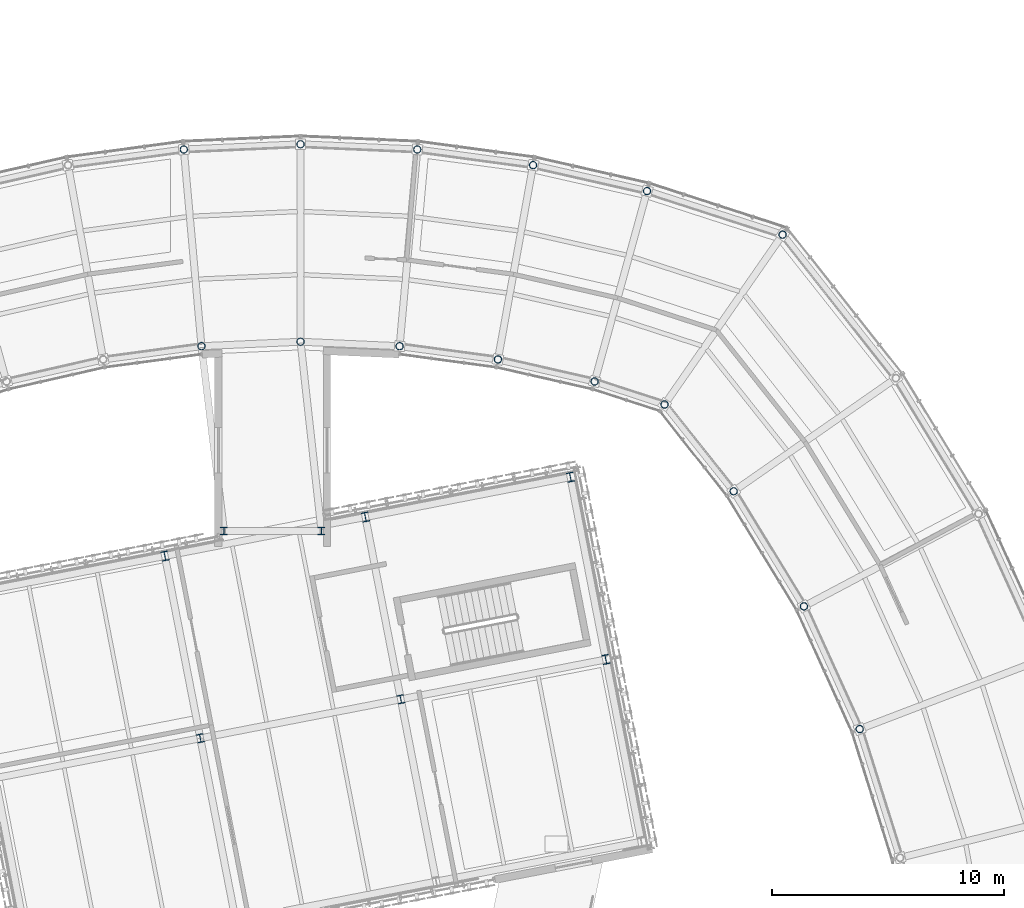
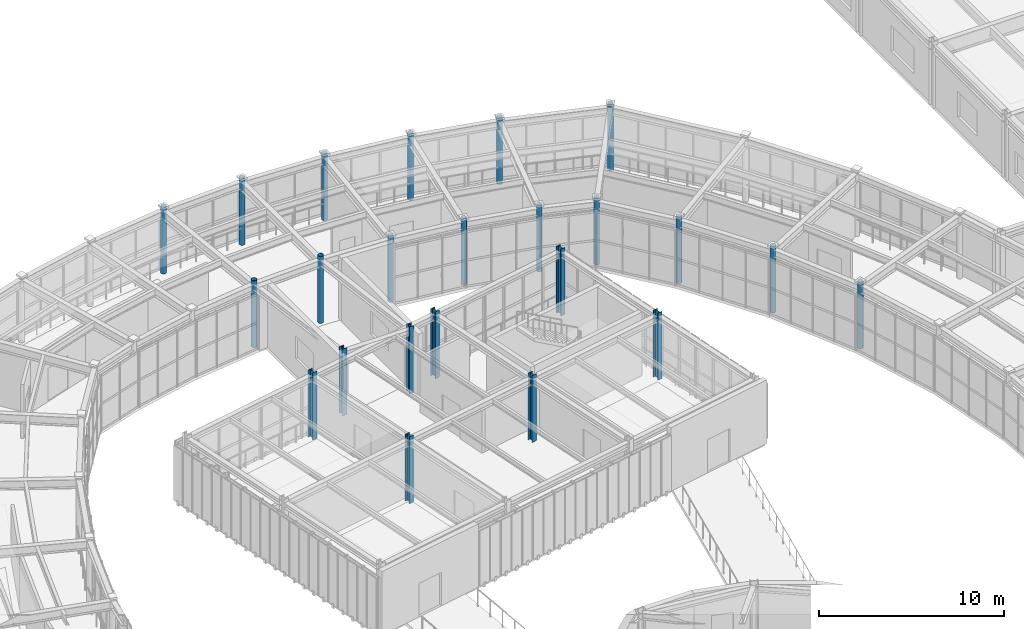
# One storey, part 12 of 103: 23 columns.
"""IFC4 building model written with IfcOpenShell, lengths in metres."""

import ifcopenshell
import ifcopenshell.guid

model = None  # the IFC model being written
_history = None  # IfcOwnerHistory: only IFC2X3 demands one
_inside = {}  # id of a spatial element -> (the spatial element, [elements in it])
_under = {}  # id of a project, library or spatial element -> (it, [spatial elements below it])
_declared = {}  # id of a project -> (the project, [libraries it declares])
_typed = {}  # id of a type object -> (the type object, [elements of that type])
_made_of = {}  # id of a material, layer set ... -> (it, [elements and type objects made of it])


def new_model(schema):
    """Start an empty IFC model of exactly this schema.

    Asked for "IFC4X3", IfcOpenShell would pick the latest addendum, in which some entities
    have other attributes; the version numbers below select the first issue.
    IFC2X3 requires an IfcOwnerHistory on every rooted entity: one is made here for all.
    """
    global model, _history
    if schema == "IFC4X3":
        model = ifcopenshell.file(schema_version=(4, 3, 0, 0))
    else:
        model = ifcopenshell.file(schema=schema)
    _inside.clear()
    _under.clear()
    _declared.clear()
    _typed.clear()
    _made_of.clear()
    _history = None
    if model.schema == "IFC2X3":
        org = make("IfcOrganization", Name="unknown")
        user = make(
            "IfcPersonAndOrganization",
            ThePerson=make("IfcPerson", FamilyName="unknown"),
            TheOrganization=org,
        )
        app = make(
            "IfcApplication",
            ApplicationDeveloper=org,
            Version="unknown",
            ApplicationFullName="unknown",
            ApplicationIdentifier="unknown",
        )
        _history = make(
            "IfcOwnerHistory",
            OwningUser=user,
            OwningApplication=app,
            ChangeAction="ADDED",
            CreationDate=0,
        )
    return model


def make(cls, **values):
    """One entity of the class cls with the attributes given. An attribute that is None is left unset."""
    return model.create_entity(
        cls, **{name: value for name, value in values.items() if value is not None}
    )


def rooted(cls, **values):
    """An entity with a GlobalId (a new one), such as an element, a storey or a relation."""
    return make(cls, GlobalId=ifcopenshell.guid.new(), OwnerHistory=_history, **values)


def si_unit(unit_type, name, prefix=None):
    """IfcSIUnit, for example si_unit("LENGTHUNIT", "METRE", prefix="MILLI")."""
    return make("IfcSIUnit", UnitType=unit_type, Prefix=prefix, Name=name)


def assignment(units):
    """IfcUnitAssignment: the units of a project."""
    return None if units is None else make("IfcUnitAssignment", Units=units)


def point(xyz):
    """IfcCartesianPoint."""
    return None if xyz is None else make("IfcCartesianPoint", Coordinates=xyz)


def direction(xyz):
    """IfcDirection."""
    return None if xyz is None else make("IfcDirection", DirectionRatios=xyz)


def frame(location, z_axis=None, x_axis=None):
    """IfcAxis2Placement3D, a coordinate frame: its origin and axes. An axis left out is left unset."""
    return make(
        "IfcAxis2Placement3D",
        Location=point(location),
        Axis=direction(z_axis),
        RefDirection=direction(x_axis),
    )


def frame_2d(location, x_axis=None):
    """IfcAxis2Placement2D, a coordinate frame in the plane: its origin and x axis."""
    return make(
        "IfcAxis2Placement2D", Location=point(location), RefDirection=direction(x_axis)
    )


def origin():
    """The frame at (0, 0, 0) with its axes left unset."""
    return frame((0.0, 0.0, 0.0))


def origin_2d():
    """The frame at (0, 0) in the plane with its x axis left unset."""
    return frame_2d((0.0, 0.0))


def place(relative_to, where):
    """IfcLocalPlacement: puts the frame where relative to a parent placement (None: the world)."""
    return make(
        "IfcLocalPlacement", PlacementRelTo=relative_to, RelativePlacement=where
    )


def context(
    kind, dimensions, precision=None, world=None, true_north=None, identifier=None
):
    """IfcGeometricRepresentationContext, for example the 3D "Model" context."""
    return make(
        "IfcGeometricRepresentationContext",
        ContextIdentifier=identifier,
        ContextType=kind,
        CoordinateSpaceDimension=dimensions,
        Precision=precision,
        WorldCoordinateSystem=world,
        TrueNorth=true_north,
    )


def subcontext(parent, identifier, kind, view, scale=None):
    """IfcGeometricRepresentationSubContext, for example "Body" below "Model"."""
    return make(
        "IfcGeometricRepresentationSubContext",
        ContextIdentifier=identifier,
        ContextType=kind,
        ParentContext=parent,
        TargetScale=scale,
        TargetView=view,
    )


def project(units=None, contexts=None):
    """IfcProject with its units and contexts."""
    return rooted(
        "IfcProject",
        Name="project",
        RepresentationContexts=contexts,
        UnitsInContext=assignment(units),
    )


def spatial(cls, under=None, at=None, **own):
    """A site, building, storey or space (cls), placed at a placement, below another one or the project."""
    s = rooted(cls, ObjectPlacement=at, **own)
    if under is not None:
        _under.setdefault(under.id(), (under, []))[1].append(s)
    return s


def profile(cls, at=None, kind="AREA", **sizes):
    """A parametric profile (cls). Its sizes go by their IFC names, for example OverallWidth=200.0."""
    return make(cls, ProfileType=kind, Position=at, **sizes)


def hollow_circle(**sizes):
    """IfcCircleHollowProfileDef."""
    return profile("IfcCircleHollowProfileDef", **sizes)


def i_section(**sizes):
    """IfcIShapeProfileDef."""
    return profile("IfcIShapeProfileDef", **sizes)


def extrude(swept, where, along, depth):
    """IfcExtrudedAreaSolid: the profile swept, set in the frame where, extruded along a direction by depth."""
    return make(
        "IfcExtrudedAreaSolid",
        SweptArea=swept,
        Position=where,
        ExtrudedDirection=direction(along),
        Depth=depth,
    )


def shape(context_of_items, identifier, shape_type, items):
    """IfcShapeRepresentation: the items that make up one representation, for example the "Body"."""
    return make(
        "IfcShapeRepresentation",
        ContextOfItems=context_of_items,
        RepresentationIdentifier=identifier,
        RepresentationType=shape_type,
        Items=items,
    )


def material(Name=None, Category=None):
    """IfcMaterial."""
    return make("IfcMaterial", Name=Name, Category=Category)


def material_profile(
    of_material, cross_section, Name=None, Category=None, Priority=None
):
    """IfcMaterialProfile: a cross section and its material."""
    return make(
        "IfcMaterialProfile",
        Name=Name,
        Material=of_material,
        Profile=cross_section,
        Priority=Priority,
        Category=Category,
    )


def profile_set(profiles, Name=None, composite=None):
    """IfcMaterialProfileSet."""
    return make(
        "IfcMaterialProfileSet",
        Name=Name,
        MaterialProfiles=profiles,
        CompositeProfile=composite,
    )


def made_of(thing, what):
    """Note that an element or type object is made of a material, layer set ...; save() writes the relation."""
    if what is not None:
        _made_of.setdefault(what.id(), (what, []))[1].append(thing)
    return thing


def type_object(cls, material=None, **own):
    """A type object (cls), such as IfcWallType, which elements share."""
    return made_of(rooted(cls, **own), material)


def element(
    cls,
    number,
    at=None,
    inside=None,
    cuts=None,
    type_object=None,
    material=None,
    context=None,
    identifier="Body",
    shape_type=None,
    held_by="IfcProductDefinitionShape",
    body=None,
    shapes=None,
    **own,
):
    """One element of the class cls, such as IfcWall. Its Tag is "e" and its number.

    at: its placement. inside: the storey or other place that contains it. cuts: it is an
    opening in that element (IfcRelVoidsElement). A single representation is given by context,
    identifier, shape_type and body (its items); several are given by shapes. held_by: the class
    of the entity that holds the representations. save() writes the other relations.
    """
    e = rooted(cls, Tag="e%d" % number, ObjectPlacement=at, **own)
    if body is not None:
        shapes = [shape(context, identifier, shape_type, body)]
    if shapes is not None:
        e.Representation = make(held_by, Representations=shapes)
    if inside is not None:
        _inside.setdefault(inside.id(), (inside, []))[1].append(e)
    if cuts is not None:
        rooted(
            "IfcRelVoidsElement", RelatingBuildingElement=cuts, RelatedOpeningElement=e
        )
    if type_object is not None:
        _typed.setdefault(type_object.id(), (type_object, []))[1].append(e)
    return made_of(e, material)


def aggregate(whole, parts):
    """IfcRelAggregates: a whole, such as a stair, and the parts it consists of."""
    return rooted("IfcRelAggregates", RelatingObject=whole, RelatedObjects=parts)


def save(model, path):
    """Write the relations noted so far, then the file.

    IfcRelAggregates (storeys below a building ...), IfcRelContainedInSpatialStructure (elements
    in a storey), IfcRelDefinesByType, IfcRelAssociatesMaterial and IfcRelDeclares: one each for
    every whole, place, type object, material and project.
    """
    for whole, parts in _under.values():
        aggregate(whole, parts)
    for where, things in _inside.values():
        rooted(
            "IfcRelContainedInSpatialStructure",
            RelatedElements=things,
            RelatingStructure=where,
        )
    for kind, things in _typed.values():
        rooted("IfcRelDefinesByType", RelatedObjects=things, RelatingType=kind)
    for what, things in _made_of.values():
        rooted("IfcRelAssociatesMaterial", RelatedObjects=things, RelatingMaterial=what)
    for by, libraries in _declared.values():
        rooted("IfcRelDeclares", RelatingContext=by, RelatedDefinitions=libraries)
    model.write(path)


model = new_model("IFC4")

# Units and contexts
model_context = context("Model", 3, precision=1e-05, world=origin(), true_north=direction((0.0, 1.0)))
body_context = subcontext(model_context, "Body", "Model", "MODEL_VIEW")
ifc_project = project(units=[si_unit("LENGTHUNIT", "METRE"), si_unit("AREAUNIT", "SQUARE_METRE"), si_unit("VOLUMEUNIT", "CUBIC_METRE"), si_unit("PLANEANGLEUNIT", "RADIAN"), si_unit("MASSUNIT", "GRAM", prefix="KILO")], contexts=[model_context])

# Site, building, storey
site_placement = place(None, origin())
site = spatial("IfcSite", under=ifc_project, at=site_placement, CompositionType="ELEMENT")
building_placement = place(site_placement, origin())
building = spatial("IfcBuilding", under=site, at=building_placement, Name="Varnklinge Art Gallery", CompositionType="ELEMENT")
storey_placement = place(building_placement, frame((0.0, 0.0, 5.10009765625)))
storey = spatial("IfcBuildingStorey", under=building, at=storey_placement, Name="L01", CompositionType="ELEMENT", Elevation=5.10009765625)

# Columns
ifc_material_1 = material(Name="Steel S355", Category="steel")
ifc_material_profile_1 = material_profile(ifc_material_1, i_section(OverallWidth=0.300048828125, OverallDepth=0.360107421875, WebThickness=0.012451171875, FlangeThickness=0.0224609375, FilletRadius=0.027099609375, at=origin_2d()), Name="HEB 360")
ifc_profile_set_1 = profile_set([ifc_material_profile_1], Name="Steel S355")
column_type_1 = type_object("IfcColumnType", Name="COL-08", PredefinedType="COLUMN", material=ifc_profile_set_1)
for number, where, z_axis, x_axis, name in (
    (1, (71.180908203125, 71.660400390625, 0.0), (0.0, 0.0, 1.0), (0.981627183448, 0.190808995377, 0.0), "L01 Column V4BC-2-2"),
    (2, (79.819091796875, 73.339599609375, 0.0), (0.0, 0.0, 1.0), (0.981627183448, 0.190808995377, 0.0), "L01 Column V4BC-3-2"),
):
    element("IfcColumn", number, at=place(storey_placement, frame(where, z_axis=z_axis, x_axis=x_axis)), inside=storey, type_object=column_type_1, Name=name, PredefinedType="COLUMN", context=body_context, shape_type="SweptSolid", body=[
        extrude(i_section(OverallWidth=0.300048828125, OverallDepth=0.360107421875, WebThickness=0.012451171875, FlangeThickness=0.0224609375, FilletRadius=0.027099609375, at=origin_2d()), origin(), (0.0, 0.0, 1.0), 4.419921875),
    ])
ifc_material_2 = material(Name="Steel S355", Category="steel")
ifc_material_profile_2 = material_profile(ifc_material_2, i_section(OverallWidth=0.300048828125, OverallDepth=0.320068359375, WebThickness=0.011474609375, FlangeThickness=0.0205078125, FilletRadius=0.027099609375, at=origin_2d()), Name="HEB 320")
ifc_profile_set_2 = profile_set([ifc_material_profile_2], Name="Steel S355")
column_type_2 = type_object("IfcColumnType", Name="COL-09", PredefinedType="COLUMN", material=ifc_profile_set_2)
for number, where, z_axis, x_axis, name in (
    (3, (72.199951171875, 80.60009765625, 0.0), (0.0, 0.0, 1.0), (1.0, 0.0, 0.0), "L01 Column LNK-V4N-C1"),
    (4, (76.39990234375, 80.60009765625, 0.0), (0.0, 0.0, 1.0), (1.0, 0.0, 0.0), "L01 Column LNK-V4N-C2"),
):
    element("IfcColumn", number, at=place(storey_placement, frame(where, z_axis=z_axis, x_axis=x_axis)), inside=storey, type_object=column_type_2, Name=name, PredefinedType="COLUMN", context=body_context, shape_type="SweptSolid", body=[
        extrude(i_section(OverallWidth=0.300048828125, OverallDepth=0.320068359375, WebThickness=0.011474609375, FlangeThickness=0.0205078125, FilletRadius=0.027099609375, at=origin_2d()), origin(), (0.0, 0.0, 1.0), 4.419921875),
    ])
ifc_material_3 = material(Name="Steel S355", Category="steel")
ifc_material_profile_3 = material_profile(ifc_material_3, i_section(OverallWidth=0.300048828125, OverallDepth=0.39990234375, WebThickness=0.013427734375, FlangeThickness=0.02392578125, FilletRadius=0.027099609375, at=origin_2d()), Name="HEB 400")
ifc_profile_set_3 = profile_set([ifc_material_profile_3], Name="Steel S355")
column_type_3 = type_object("IfcColumnType", Name="COL-E3", PredefinedType="COLUMN", material=ifc_profile_set_3)
for number, where, z_axis, x_axis, name in (
    (5, (69.654296875, 79.513427734375, 0.0), (0.0, 0.0, 1.0), (0.981627183448, 0.190808995377, 0.0), "L01 Column V4BC-2-3"),
    (6, (78.292724609375, 81.192626953125, 0.0), (0.0, 0.0, 1.0), (0.981627183448, 0.190808995377, 0.0), "L01 Column V4BC-3-3"),
    (7, (88.65380859375, 75.056884765625, 0.0), (0.0, 0.0, 1.0), (0.981627183448, 0.190808995377, 0.0), "L01 Column V4BC-4-2"),
    (8, (87.127197265625, 82.909912109375, 0.0), (0.0, 0.0, 1.0), (0.981627183448, 0.190808995377, 0.0), "L01 Column V4BC-4-3"),
):
    element("IfcColumn", number, at=place(storey_placement, frame(where, z_axis=z_axis, x_axis=x_axis)), inside=storey, type_object=column_type_3, Name=name, PredefinedType="COLUMN", context=body_context, shape_type="SweptSolid", body=[
        extrude(i_section(OverallWidth=0.300048828125, OverallDepth=0.39990234375, WebThickness=0.013427734375, FlangeThickness=0.02392578125, FilletRadius=0.027099609375, at=origin_2d()), origin(), (0.0, 0.0, 1.0), 4.419921875),
    ])
ifc_material_4 = material(Name="Steel S355", Category="steel")
ifc_material_profile_4 = material_profile(ifc_material_4, hollow_circle(Radius=0.161865234375, WallThickness=0.01611328125, at=origin_2d()), Name="CHS 323.9x16")
ifc_profile_set_4 = profile_set([ifc_material_profile_4], Name="Steel S355")
column_type_4 = type_object("IfcColumnType", Name="COL-E6", PredefinedType="COLUMN", material=ifc_profile_set_4)
for number, where, z_axis, x_axis, name in (
    (9, (99.59130859375, 72.0546875, 0.0), (0.0, 0.0, 1.0), (-0.934017558691, -0.357227098715, 0.0), "L01 Column V2CI-10"),
    (10, (97.189697265625, 77.344482421875, 0.0), (0.0, 0.0, 1.0), (-0.883683947469, -0.468084053333, 0.0), "L01 Column V2CI-11"),
    (11, (94.1630859375, 82.3037109375, 0.0), (0.0, 0.0, 1.0), (-0.820351542489, -0.571859551582, 0.0), "L01 Column V2CI-12"),
    (12, (96.27099609375, 93.35986328125, 0.0), (0.0, 0.0, 1.0), (-0.570570241419, -0.821248804935, 0.0), "L01 Column V2CO-13"),
    (13, (91.185791015625, 86.041015625, 0.0), (0.0, 0.0, 1.0), (-0.570570241419, -0.821248804935, 0.0), "L01 Column V2CI-13"),
    (14, (90.4296875, 95.2373046875, 0.0), (0.0, 0.0, 1.0), (-0.265387847052, -0.964141737836, 0.0), "L01 Column V2CO-14"),
    (15, (88.17138671875, 87.033203125, 0.0), (0.0, 0.0, 1.0), (-0.265387847052, -0.964141737836, 0.0), "L01 Column V2CI-14"),
    (16, (85.520263671875, 96.35498046875, 0.0), (0.0, 0.0, 1.0), (-0.178115290264, -0.984009625651, 0.0), "L01 Column V2CO-15"),
    (17, (84.00439453125, 87.981689453125, 0.0), (0.0, 0.0, 1.0), (-0.178115290264, -0.984009625651, 0.0), "L01 Column V2CI-15"),
    (18, (80.5302734375, 97.029296875, 0.0), (0.0, 0.0, 1.0), (-0.089415810539, -0.995994383933, 0.0), "L01 Column V2CO-16"),
    (19, (79.769287109375, 88.55419921875, 0.0), (0.0, 0.0, 1.0), (-0.089415810539, -0.995994383933, 0.0), "L01 Column V2CI-16"),
    (20, (75.5, 97.254638671875, 0.0), (0.0, 0.0, 1.0), (0.0, -1.0, 0.0), "L01 Column V2CO-17"),
    (21, (75.5, 88.745361328125, 0.0), (0.0, 0.0, 1.0), (0.0, -1.0, 0.0), "L01 Column V2CI-17"),
    (22, (70.4697265625, 97.029296875, 0.0), (0.0, 0.0, 1.0), (0.089415810539, -0.995994383933, 0.0), "L01 Column V2CO-18"),
    (23, (71.230712890625, 88.55419921875, 0.0), (0.0, 0.0, 1.0), (0.089415810539, -0.995994383933, 0.0), "L01 Column V2CI-18"),
):
    element("IfcColumn", number, at=place(storey_placement, frame(where, z_axis=z_axis, x_axis=x_axis)), inside=storey, type_object=column_type_4, Name=name, PredefinedType="COLUMN", context=body_context, shape_type="SweptSolid", body=[
        extrude(hollow_circle(Radius=0.161865234375, WallThickness=0.01611328125, at=origin_2d()), origin(), (0.0, 0.0, 1.0), 4.419921875),
    ])

save(model, "model.ifc")
